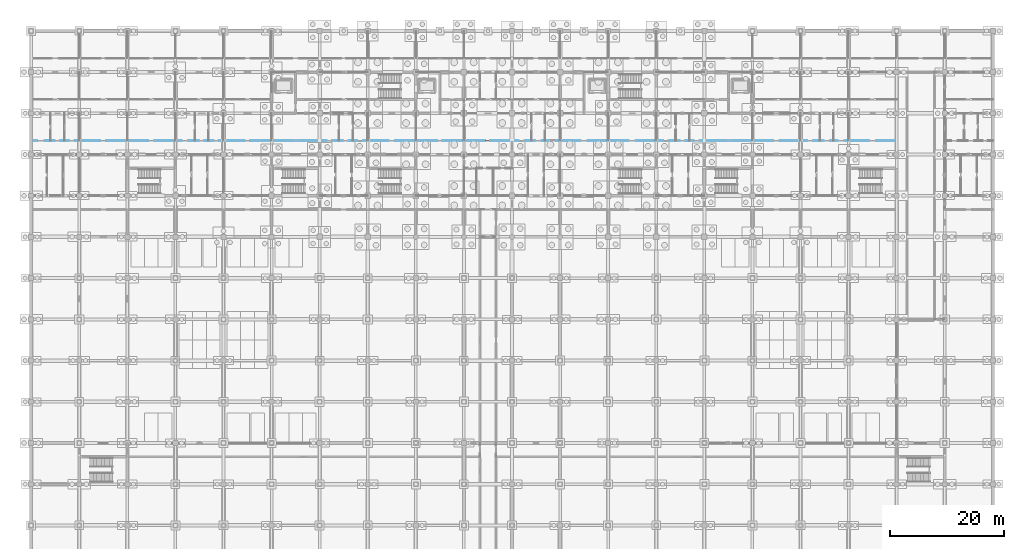
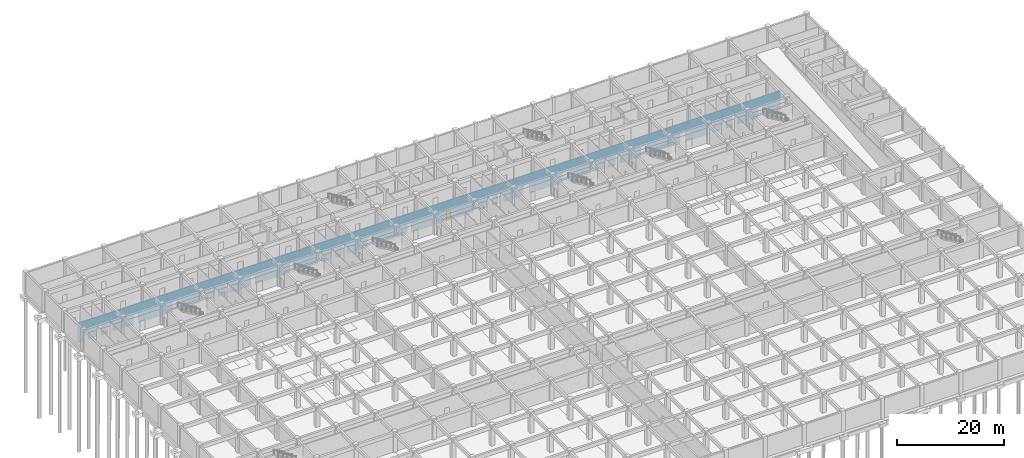
# One storey, part 56 of 85: 1 door, 30 openings, plus 1 element that does not belong to this part.
"""IFC4 building model written with IfcOpenShell, lengths in metres."""

from ifc_helpers import new_model, si_unit, direction, frame, frame_2d, origin, place, context, subcontext, project, spatial, rectangle, extrude, material, layer, layer_set, type_object, element, fill, save


model = new_model("IFC4")

# Units and contexts
model_context = context("Model", 3, precision=1e-05, world=origin(), true_north=direction((0.0, 1.0)))
body_context = subcontext(model_context, "Body", "Model", "MODEL_VIEW")
ifc_project = project(units=[si_unit("LENGTHUNIT", "METRE"), si_unit("AREAUNIT", "SQUARE_METRE"), si_unit("VOLUMEUNIT", "CUBIC_METRE"), si_unit("PLANEANGLEUNIT", "RADIAN"), si_unit("MASSUNIT", "GRAM", prefix="KILO")], contexts=[model_context])

# Site, building, storey
site_placement = place(None, origin())
site = spatial("IfcSite", under=ifc_project, at=site_placement, CompositionType="ELEMENT")
building_placement = place(site_placement, origin())
building = spatial("IfcBuilding", under=site, at=building_placement, Name="Chengyuan Square Courthouse", CompositionType="ELEMENT")
storey_placement = place(building_placement, frame((0.0, 0.0, -10.199951171875)))
storey = spatial("IfcBuildingStorey", under=building, at=storey_placement, Name="B02", CompositionType="ELEMENT", Elevation=-10.199951171875)

# Wall, openings, door
ifc_material_1 = material(Name="Gypsum Plasterboard Acoustic Stud Partition")
ifc_layer = layer(ifc_material_1, 0.10009765625)
ifc_layer_set = layer_set([ifc_layer], Name="Gypsum Plasterboard Acoustic Stud Partition")
wall_type = type_object("IfcWallType", Name="WL-PT6", PredefinedType="STANDARD", material=ifc_layer_set)
wall_placement = place(storey_placement, frame((0.0400390625, 96.0, 0.0), z_axis=(0.0, 0.0, 1.0), x_axis=(1.0, 0.0, 0.0)))
wall = element("IfcWall", 1, at=wall_placement, inside=storey, type_object=wall_type, Name="Interior Wall WL-B02-I062", PredefinedType="STANDARD", context=body_context, shape_type="SweptSolid", body=[
    extrude(rectangle(XDim=151.159912109375, YDim=0.10009765625, at=frame_2d((75.580078125, 0.0))), origin(), (0.0, 0.0, 1.0), 4.47998046875),
])
opening_1_placement = place(wall_placement, frame((1.0400390625, 0.0, 0.0)))
element("IfcOpeningElement", 2, at=opening_1_placement, cuts=wall, Name="Opening DR-148", PredefinedType="OPENING", context=body_context, shape_type="SweptSolid", body=[
    extrude(rectangle(XDim=1.280029296875, YDim=2.35009765625, at=frame_2d((0.64013671875, 1.175048828125))), frame((0.0, 0.06201171875, 0.0), z_axis=(0.0, -1.0, 0.0), x_axis=(1.0, 0.0, 0.0)), (0.0, 0.0, 1.0), 0.1240234375),
])
opening_2_placement = place(wall_placement, frame((4.090087890625, 0.0, 0.0)))
element("IfcOpeningElement", 3, at=opening_2_placement, cuts=wall, Name="Opening DR-149", PredefinedType="OPENING", context=body_context, shape_type="SweptSolid", body=[
    extrude(rectangle(XDim=0.93994140625, YDim=2.300048828125, at=frame_2d((0.469970703125, 1.14990234375))), frame((0.0, 0.06201171875, 0.0), z_axis=(0.0, -1.0, 0.0), x_axis=(1.0, 0.0, 0.0)), (0.0, 0.0, 1.0), 0.1240234375),
])
opening_3_placement = place(wall_placement, frame((6.570068359375, 0.0, 0.0)))
element("IfcOpeningElement", 4, at=opening_3_placement, cuts=wall, Name="Opening DR-150", PredefinedType="OPENING", context=body_context, shape_type="SweptSolid", body=[
    extrude(rectangle(XDim=0.97998046875, YDim=2.35009765625, at=frame_2d((0.489990234375, 1.175048828125))), frame((0.0, 0.06201171875, 0.0), z_axis=(0.0, -1.0, 0.0), x_axis=(1.0, 0.0, 0.0)), (0.0, 0.0, 1.0), 0.1240234375),
])
opening_4_placement = place(wall_placement, frame((12.050048828125, 0.0, 0.0)))
element("IfcOpeningElement", 5, at=opening_4_placement, cuts=wall, Name="Opening DR-151", PredefinedType="OPENING", context=body_context, shape_type="SweptSolid", body=[
    extrude(rectangle(XDim=1.02001953125, YDim=2.39990234375, at=frame_2d((0.510009765625, 1.199951171875))), frame((0.0, 0.06201171875, 0.0), z_axis=(0.0, -1.0, 0.0), x_axis=(1.0, 0.0, 0.0)), (0.0, 0.0, 1.0), 0.1240234375),
])
opening_5_placement = place(wall_placement, frame((20.429931640625, 0.0, 0.0)))
element("IfcOpeningElement", 6, at=opening_5_placement, cuts=wall, Name="Opening DR-152", PredefinedType="OPENING", context=body_context, shape_type="SweptSolid", body=[
    extrude(rectangle(XDim=1.06005859375, YDim=2.39990234375, at=frame_2d((0.530029296875, 1.199951171875))), frame((0.0, 0.06201171875, 0.0), z_axis=(0.0, -1.0, 0.0), x_axis=(1.0, 0.0, 0.0)), (0.0, 0.0, 1.0), 0.1240234375),
])
opening_6_placement = place(wall_placement, frame((26.2900390625, 0.0, 0.0)))
element("IfcOpeningElement", 7, at=opening_6_placement, cuts=wall, Name="Opening DR-153", PredefinedType="OPENING", context=body_context, shape_type="SweptSolid", body=[
    extrude(rectangle(XDim=1.139892578125, YDim=2.39990234375, at=frame_2d((0.56982421875, 1.199951171875))), frame((0.0, 0.06201171875, 0.0), z_axis=(0.0, -1.0, 0.0), x_axis=(1.0, 0.0, 0.0)), (0.0, 0.0, 1.0), 0.1240234375),
])
opening_7_placement = place(wall_placement, frame((29.31005859375, 0.0, 0.0)))
element("IfcOpeningElement", 8, at=opening_7_placement, cuts=wall, Name="Opening DR-154", PredefinedType="OPENING", context=body_context, shape_type="SweptSolid", body=[
    extrude(rectangle(XDim=0.89990234375, YDim=2.14990234375, at=frame_2d((0.449951171875, 1.074951171875))), frame((0.0, 0.06201171875, 0.0), z_axis=(0.0, -1.0, 0.0), x_axis=(1.0, 0.0, 0.0)), (0.0, 0.0, 1.0), 0.1240234375),
])
opening_8_placement = place(wall_placement, frame((31.830078125, 0.0, 0.0)))
element("IfcOpeningElement", 9, at=opening_8_placement, cuts=wall, Name="Opening DR-155", PredefinedType="OPENING", context=body_context, shape_type="SweptSolid", body=[
    extrude(rectangle(XDim=0.860107421875, YDim=2.10009765625, at=frame_2d((0.43017578125, 1.050048828125))), frame((0.0, 0.06201171875, 0.0), z_axis=(0.0, -1.0, 0.0), x_axis=(1.0, 0.0, 0.0)), (0.0, 0.0, 1.0), 0.1240234375),
])
opening_9_placement = place(wall_placement, frame((37.300048828125, 0.0, 0.0)))
element("IfcOpeningElement", 10, at=opening_9_placement, cuts=wall, Name="Opening DR-156", PredefinedType="OPENING", context=body_context, shape_type="SweptSolid", body=[
    extrude(rectangle(XDim=0.919921875, YDim=2.14990234375, at=frame_2d((0.4599609375, 1.074951171875))), frame((0.0, 0.06201171875, 0.0), z_axis=(0.0, -1.0, 0.0), x_axis=(1.0, 0.0, 0.0)), (0.0, 0.0, 1.0), 0.1240234375),
])
opening_10_placement = place(wall_placement, frame((45.679931640625, 0.0, 0.0)))
element("IfcOpeningElement", 11, at=opening_10_placement, cuts=wall, Name="Opening DR-157", PredefinedType="OPENING", context=body_context, shape_type="SweptSolid", body=[
    extrude(rectangle(XDim=0.9599609375, YDim=2.199951171875, at=frame_2d((0.47998046875, 1.10009765625))), frame((0.0, 0.06201171875, 0.0), z_axis=(0.0, -1.0, 0.0), x_axis=(1.0, 0.0, 0.0)), (0.0, 0.0, 1.0), 0.1240234375),
])
opening_11_placement = place(wall_placement, frame((51.570068359375, 0.0, 0.0)))
element("IfcOpeningElement", 12, at=opening_11_placement, cuts=wall, Name="Opening DR-167", PredefinedType="OPENING", context=body_context, shape_type="SweptSolid", body=[
    extrude(rectangle(XDim=0.97998046875, YDim=2.35009765625, at=frame_2d((0.489990234375, 1.175048828125))), frame((0.0, 0.06201171875, 0.0), z_axis=(0.0, -1.0, 0.0), x_axis=(1.0, 0.0, 0.0)), (0.0, 0.0, 1.0), 0.1240234375),
])
opening_12_placement = place(wall_placement, frame((54.449951171875, 0.0, 0.0)))
element("IfcOpeningElement", 13, at=opening_12_placement, cuts=wall, Name="Opening DR-168", PredefinedType="OPENING", context=body_context, shape_type="SweptSolid", body=[
    extrude(rectangle(XDim=1.02001953125, YDim=2.39990234375, at=frame_2d((0.510009765625, 1.199951171875))), frame((0.0, 0.06201171875, 0.0), z_axis=(0.0, -1.0, 0.0), x_axis=(1.0, 0.0, 0.0)), (0.0, 0.0, 1.0), 0.1240234375),
])
opening_13_placement = place(wall_placement, frame((56.929931640625, 0.0, 0.0)))
element("IfcOpeningElement", 14, at=opening_13_placement, cuts=wall, Name="Opening DR-169", PredefinedType="OPENING", context=body_context, shape_type="SweptSolid", body=[
    extrude(rectangle(XDim=1.06005859375, YDim=2.39990234375, at=frame_2d((0.530029296875, 1.199951171875))), frame((0.0, 0.06201171875, 0.0), z_axis=(0.0, -1.0, 0.0), x_axis=(1.0, 0.0, 0.0)), (0.0, 0.0, 1.0), 0.1240234375),
])
opening_14_placement = place(wall_placement, frame((62.389892578125, 0.0, 0.0)))
element("IfcOpeningElement", 15, at=opening_14_placement, cuts=wall, Name="Opening DR-170", PredefinedType="OPENING", context=body_context, shape_type="SweptSolid", body=[
    extrude(rectangle(XDim=1.139892578125, YDim=2.39990234375, at=frame_2d((0.56982421875, 1.199951171875))), frame((0.0, 0.06201171875, 0.0), z_axis=(0.0, -1.0, 0.0), x_axis=(1.0, 0.0, 0.0)), (0.0, 0.0, 1.0), 0.1240234375),
])
opening_15_placement = place(wall_placement, frame((70.909912109375, 0.0, 0.0)))
element("IfcOpeningElement", 16, at=opening_15_placement, cuts=wall, Name="Opening DR-171", PredefinedType="OPENING", context=body_context, shape_type="SweptSolid", body=[
    extrude(rectangle(XDim=0.89990234375, YDim=2.14990234375, at=frame_2d((0.449951171875, 1.074951171875))), frame((0.0, 0.06201171875, 0.0), z_axis=(0.0, -1.0, 0.0), x_axis=(1.0, 0.0, 0.0)), (0.0, 0.0, 1.0), 0.1240234375),
])
opening_16_placement = place(wall_placement, frame((79.330078125, 0.0, 0.0)))
opening_16 = element("IfcOpeningElement", 17, at=opening_16_placement, cuts=wall, Name="Opening DR-172", PredefinedType="OPENING", context=body_context, shape_type="SweptSolid", body=[
    extrude(rectangle(XDim=0.860107421875, YDim=2.10009765625, at=frame_2d((0.43017578125, 1.050048828125))), frame((0.0, 0.06201171875, 0.0), z_axis=(0.0, -1.0, 0.0), x_axis=(1.0, 0.0, 0.0)), (0.0, 0.0, 1.0), 0.1240234375),
])
opening_17_placement = place(wall_placement, frame((85.10009765625, 0.0, 0.0)))
element("IfcOpeningElement", 18, at=opening_17_placement, cuts=wall, Name="Opening DR-178", PredefinedType="OPENING", context=body_context, shape_type="SweptSolid", body=[
    extrude(rectangle(XDim=1.1201171875, YDim=2.25, at=frame_2d((0.56005859375, 1.125))), frame((0.0, 0.06201171875, 0.0), z_axis=(0.0, -1.0, 0.0), x_axis=(1.0, 0.0, 0.0)), (0.0, 0.0, 1.0), 0.1240234375),
])
opening_18_placement = place(wall_placement, frame((87.97998046875, 0.0, 0.0)))
element("IfcOpeningElement", 19, at=opening_18_placement, cuts=wall, Name="Opening DR-179", PredefinedType="OPENING", context=body_context, shape_type="SweptSolid", body=[
    extrude(rectangle(XDim=1.159912109375, YDim=2.300048828125, at=frame_2d((0.580078125, 1.14990234375))), frame((0.0, 0.06201171875, 0.0), z_axis=(0.0, -1.0, 0.0), x_axis=(1.0, 0.0, 0.0)), (0.0, 0.0, 1.0), 0.1240234375),
])
opening_19_placement = place(wall_placement, frame((90.4599609375, 0.0, 0.0)))
element("IfcOpeningElement", 20, at=opening_19_placement, cuts=wall, Name="Opening DR-180", PredefinedType="OPENING", context=body_context, shape_type="SweptSolid", body=[
    extrude(rectangle(XDim=1.199951171875, YDim=2.35009765625, at=frame_2d((0.60009765625, 1.175048828125))), frame((0.0, 0.06201171875, 0.0), z_axis=(0.0, -1.0, 0.0), x_axis=(1.0, 0.0, 0.0)), (0.0, 0.0, 1.0), 0.1240234375),
])
opening_20_placement = place(wall_placement, frame((95.93994140625, 0.0, 0.0)))
element("IfcOpeningElement", 21, at=opening_20_placement, cuts=wall, Name="Opening DR-181", PredefinedType="OPENING", context=body_context, shape_type="SweptSolid", body=[
    extrude(rectangle(XDim=1.239990234375, YDim=2.300048828125, at=frame_2d((0.6201171875, 1.14990234375))), frame((0.0, 0.06201171875, 0.0), z_axis=(0.0, -1.0, 0.0), x_axis=(1.0, 0.0, 0.0)), (0.0, 0.0, 1.0), 0.1240234375),
])
opening_21_placement = place(wall_placement, frame((104.320068359375, 0.0, 0.0)))
element("IfcOpeningElement", 22, at=opening_21_placement, cuts=wall, Name="Opening DR-182", PredefinedType="OPENING", context=body_context, shape_type="SweptSolid", body=[
    extrude(rectangle(XDim=1.280029296875, YDim=2.35009765625, at=frame_2d((0.64013671875, 1.175048828125))), frame((0.0, 0.06201171875, 0.0), z_axis=(0.0, -1.0, 0.0), x_axis=(1.0, 0.0, 0.0)), (0.0, 0.0, 1.0), 0.1240234375),
])
opening_22_placement = place(wall_placement, frame((110.389892578125, 0.0, 0.0)))
element("IfcOpeningElement", 23, at=opening_22_placement, cuts=wall, Name="Opening DR-183", PredefinedType="OPENING", context=body_context, shape_type="SweptSolid", body=[
    extrude(rectangle(XDim=0.93994140625, YDim=2.300048828125, at=frame_2d((0.469970703125, 1.14990234375))), frame((0.0, 0.06201171875, 0.0), z_axis=(0.0, -1.0, 0.0), x_axis=(1.0, 0.0, 0.0)), (0.0, 0.0, 1.0), 0.1240234375),
])
opening_23_placement = place(wall_placement, frame((113.27001953125, 0.0, 0.0)))
element("IfcOpeningElement", 24, at=opening_23_placement, cuts=wall, Name="Opening DR-184", PredefinedType="OPENING", context=body_context, shape_type="SweptSolid", body=[
    extrude(rectangle(XDim=0.97998046875, YDim=2.35009765625, at=frame_2d((0.489990234375, 1.175048828125))), frame((0.0, 0.06201171875, 0.0), z_axis=(0.0, -1.0, 0.0), x_axis=(1.0, 0.0, 0.0)), (0.0, 0.0, 1.0), 0.1240234375),
])
opening_24_placement = place(wall_placement, frame((115.75, 0.0, 0.0)))
element("IfcOpeningElement", 25, at=opening_24_placement, cuts=wall, Name="Opening DR-185", PredefinedType="OPENING", context=body_context, shape_type="SweptSolid", body=[
    extrude(rectangle(XDim=1.02001953125, YDim=2.39990234375, at=frame_2d((0.510009765625, 1.199951171875))), frame((0.0, 0.06201171875, 0.0), z_axis=(0.0, -1.0, 0.0), x_axis=(1.0, 0.0, 0.0)), (0.0, 0.0, 1.0), 0.1240234375),
])
opening_25_placement = place(wall_placement, frame((121.239990234375, 0.0, 0.0)))
element("IfcOpeningElement", 26, at=opening_25_placement, cuts=wall, Name="Opening DR-193", PredefinedType="OPENING", context=body_context, shape_type="SweptSolid", body=[
    extrude(rectangle(XDim=1.0400390625, YDim=2.199951171875, at=frame_2d((0.52001953125, 1.10009765625))), frame((0.0, 0.06201171875, 0.0), z_axis=(0.0, -1.0, 0.0), x_axis=(1.0, 0.0, 0.0)), (0.0, 0.0, 1.0), 0.1240234375),
])
opening_26_placement = place(wall_placement, frame((129.6201171875, 0.0, 0.0)))
element("IfcOpeningElement", 27, at=opening_26_placement, cuts=wall, Name="Opening DR-194", PredefinedType="OPENING", context=body_context, shape_type="SweptSolid", body=[
    extrude(rectangle(XDim=1.080078125, YDim=2.25, at=frame_2d((0.5400390625, 1.125))), frame((0.0, 0.06201171875, 0.0), z_axis=(0.0, -1.0, 0.0), x_axis=(1.0, 0.0, 0.0)), (0.0, 0.0, 1.0), 0.1240234375),
])
opening_27_placement = place(wall_placement, frame((135.5, 0.0, 0.0)))
element("IfcOpeningElement", 28, at=opening_27_placement, cuts=wall, Name="Opening DR-195", PredefinedType="OPENING", context=body_context, shape_type="SweptSolid", body=[
    extrude(rectangle(XDim=1.1201171875, YDim=2.25, at=frame_2d((0.56005859375, 1.125))), frame((0.0, 0.06201171875, 0.0), z_axis=(0.0, -1.0, 0.0), x_axis=(1.0, 0.0, 0.0)), (0.0, 0.0, 1.0), 0.1240234375),
])
opening_28_placement = place(wall_placement, frame((138.3798828125, 0.0, 0.0)))
element("IfcOpeningElement", 29, at=opening_28_placement, cuts=wall, Name="Opening DR-196", PredefinedType="OPENING", context=body_context, shape_type="SweptSolid", body=[
    extrude(rectangle(XDim=1.159912109375, YDim=2.300048828125, at=frame_2d((0.580078125, 1.14990234375))), frame((0.0, 0.06201171875, 0.0), z_axis=(0.0, -1.0, 0.0), x_axis=(1.0, 0.0, 0.0)), (0.0, 0.0, 1.0), 0.1240234375),
])
opening_29_placement = place(wall_placement, frame((140.860107421875, 0.0, 0.0)))
element("IfcOpeningElement", 30, at=opening_29_placement, cuts=wall, Name="Opening DR-197", PredefinedType="OPENING", context=body_context, shape_type="SweptSolid", body=[
    extrude(rectangle(XDim=1.199951171875, YDim=2.35009765625, at=frame_2d((0.60009765625, 1.175048828125))), frame((0.0, 0.06201171875, 0.0), z_axis=(0.0, -1.0, 0.0), x_axis=(1.0, 0.0, 0.0)), (0.0, 0.0, 1.0), 0.1240234375),
])
opening_30_placement = place(wall_placement, frame((146.340087890625, 0.0, 0.0)))
element("IfcOpeningElement", 31, at=opening_30_placement, cuts=wall, Name="Opening DR-198", PredefinedType="OPENING", context=body_context, shape_type="SweptSolid", body=[
    extrude(rectangle(XDim=1.239990234375, YDim=2.300048828125, at=frame_2d((0.6201171875, 1.14990234375))), frame((0.0, 0.06201171875, 0.0), z_axis=(0.0, -1.0, 0.0), x_axis=(1.0, 0.0, 0.0)), (0.0, 0.0, 1.0), 0.1240234375),
])
ifc_material_2 = material(Name="Acoustic Solid-Core Timber Door", Category="wood")
door_type = type_object("IfcDoorType", Name="DT-28", OperationType="NOTDEFINED", PredefinedType="DOOR", material=ifc_material_2)
door_placement = place(opening_16_placement, origin())
door = element("IfcDoor", 32, at=door_placement, inside=storey, type_object=door_type, Name="Interior Door DR-172", OperationType="SINGLE_SWING_LEFT", OverallHeight=2.10009765625, OverallWidth=0.860107421875, PredefinedType="DOOR", context=body_context, shape_type="SweptSolid", body=[
    extrude(rectangle(XDim=0.860107421875, YDim=2.10009765625, at=frame_2d((0.43017578125, 1.050048828125))), frame((0.0, 0.02490234375, 0.0), z_axis=(0.0, -1.0, 0.0), x_axis=(1.0, 0.0, 0.0)), (0.0, 0.0, 1.0), 0.050048828125),
])
fill(opening_16, door)

save(model, "model.ifc")
